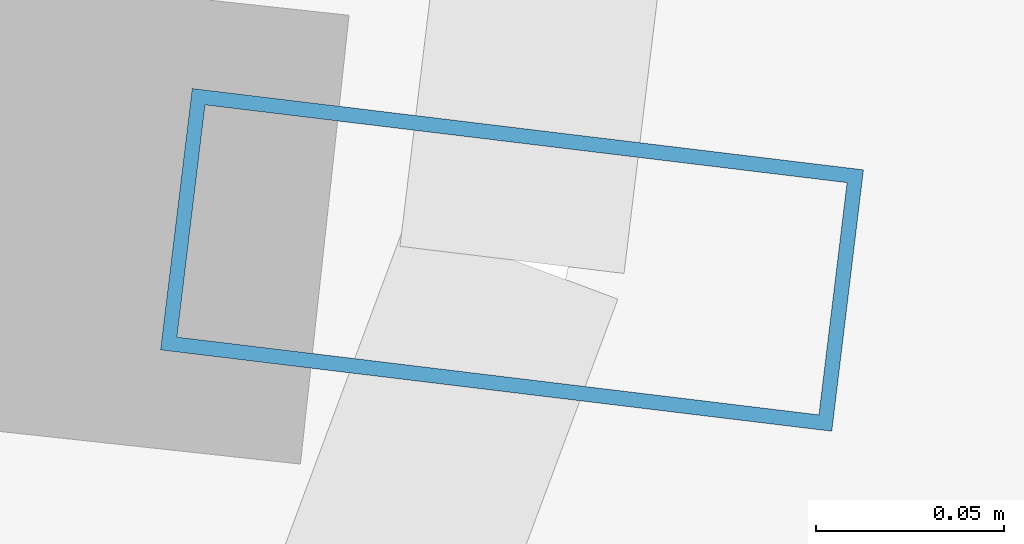
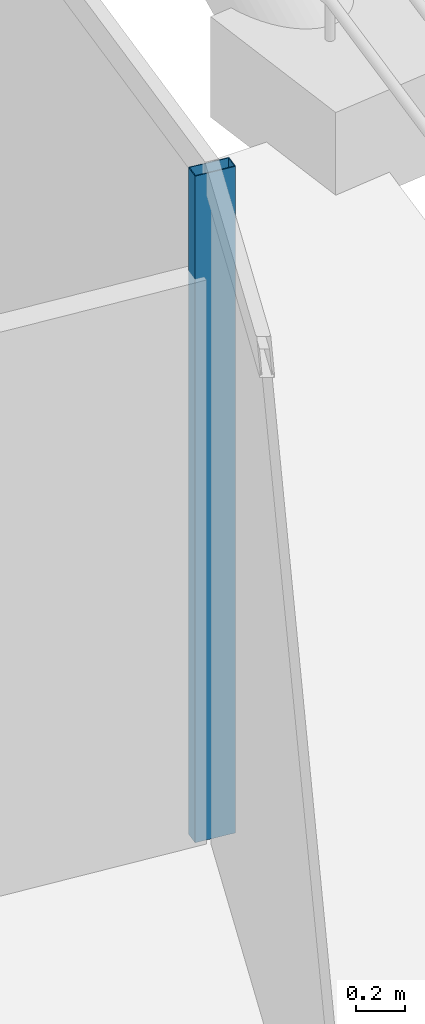
# One storey, part 9 of 21: 1 member, 1 element without a shape of its own.
"""IFC4 building model written with IfcOpenShell, lengths in metres."""

from ifc_helpers import new_model, si_unit, direction, frame, origin, origin_2d, place, context, subcontext, project, spatial, hollow_rectangle, extrude, material, layer, layer_set, material_profile, profile_set, type_object, element, aggregate, save


model = new_model("IFC4")

# Units and contexts
model_context = context("Model", 3, precision=1e-05, world=origin(), true_north=direction((0.0, 1.0)))
body_context = subcontext(model_context, "Body", "Model", "MODEL_VIEW")
ifc_project = project(units=[si_unit("LENGTHUNIT", "METRE"), si_unit("AREAUNIT", "SQUARE_METRE"), si_unit("VOLUMEUNIT", "CUBIC_METRE"), si_unit("PLANEANGLEUNIT", "RADIAN"), si_unit("MASSUNIT", "GRAM", prefix="KILO")], contexts=[model_context])

# Site, building, storey
site_placement = place(None, origin())
site = spatial("IfcSite", under=ifc_project, at=site_placement, CompositionType="ELEMENT")
building_placement = place(site_placement, origin())
building = spatial("IfcBuilding", under=site, at=building_placement, Name="Veldorina Hangang Commons", CompositionType="ELEMENT")
storey_placement = place(building_placement, frame((0.0, 0.0, 128.0)))
storey = spatial("IfcBuildingStorey", under=building, at=storey_placement, Name="L32", CompositionType="ELEMENT", Elevation=128.0)

# Curtain wall, member
ifc_material_1 = material(Name="Glass Low-E Triple IGU", Category="glass")
ifc_layer = layer(ifc_material_1, 0.179931640625)
ifc_layer_set = layer_set([ifc_layer], Name="Glass Low-E Triple IGU")
curtain_wall_type = type_object("IfcCurtainWallType", Name="CW-SYS-Z2", PredefinedType="NOTDEFINED", material=ifc_layer_set)
curtain_wall_placement = place(storey_placement, origin())
curtain_wall = element("IfcCurtainWall", 1, at=curtain_wall_placement, inside=storey, type_object=curtain_wall_type, Name="L32 unitised curtain wall CW-L32-R2", PredefinedType="NOTDEFINED")
ifc_material_2 = material(Name="Aluminium Anodized AA6063-T6", Category="aluminium")
ifc_material_profile = material_profile(ifc_material_2, hollow_rectangle(XDim=0.070068359375, YDim=0.179931640625, WallThickness=0.00390625, at=origin_2d()), Name="ALU-RHS-180x70x4")
ifc_profile_set = profile_set([ifc_material_profile], Name="Aluminium Anodized AA6063-T6")
member_type = type_object("IfcMemberType", Name="CW-MUL-180", PredefinedType="MULLION", material=ifc_profile_set)
member_placement = place(storey_placement, frame((57.564697265625, 19.8662109375, 0.0), z_axis=(0.0, 0.0, 1.0), x_axis=(0.120258126128, 0.992742657037, 0.0)))
member = element("IfcMember", 2, at=member_placement, type_object=member_type, Name="CW-L32-R2 vertical mullion 4", PredefinedType="MULLION", context=body_context, shape_type="SweptSolid", body=[
    extrude(hollow_rectangle(XDim=0.070068359375, YDim=0.179931640625, WallThickness=0.00390625, at=origin_2d()), origin(), (0.0, 0.0, 1.0), 3.31005859375),
])
aggregate(curtain_wall, [member])

save(model, "model.ifc")
